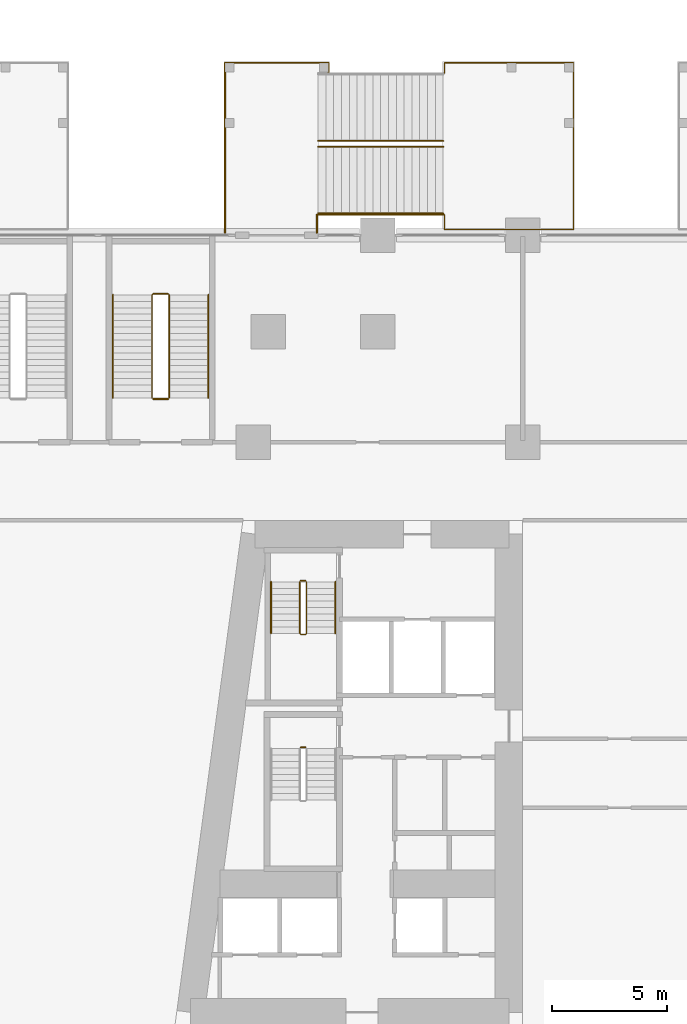
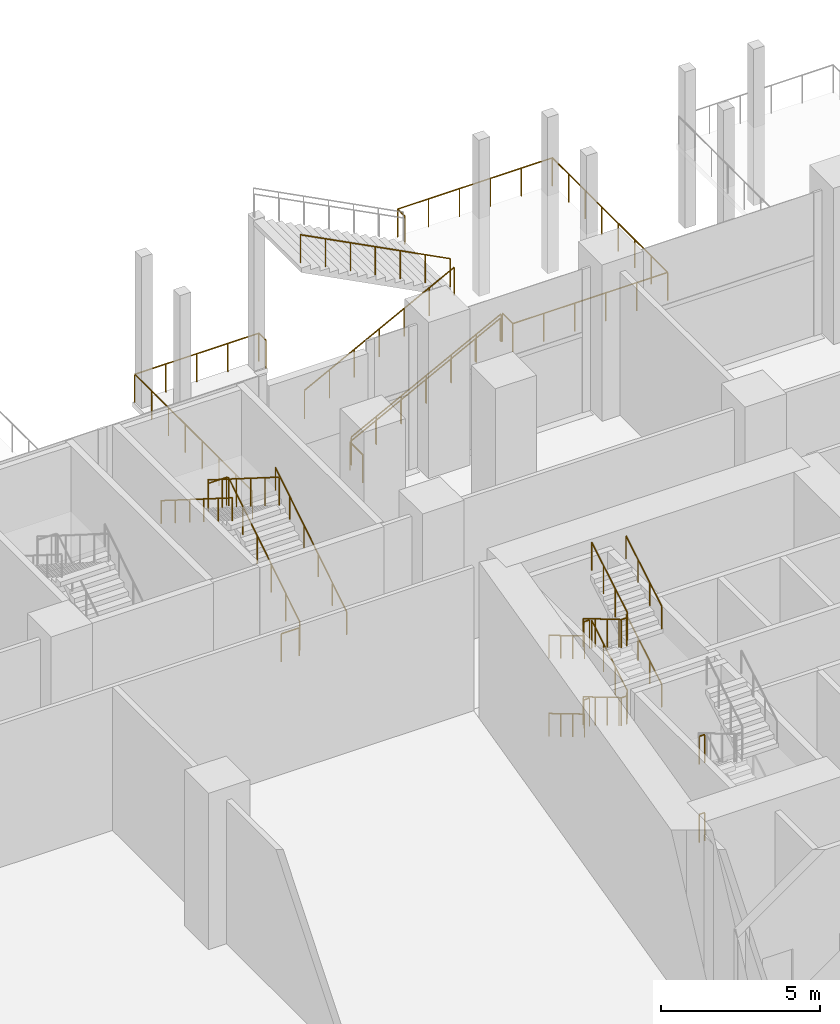
# One storey, part 42 of 49: 21 railings.
"""IFC4 building model written with IfcOpenShell, lengths in metres."""

from ifc_helpers import new_model, si_unit, direction, frame, origin, origin_2d, place, context, subcontext, project, spatial, circle, extrude, material, type_object, element, save


model = new_model("IFC4")

# Units and contexts
model_context = context("Model", 3, precision=1e-05, world=origin(), true_north=direction((0.0, 1.0)))
body_context = subcontext(model_context, "Body", "Model", "MODEL_VIEW")
ifc_project = project(units=[si_unit("LENGTHUNIT", "METRE"), si_unit("AREAUNIT", "SQUARE_METRE"), si_unit("VOLUMEUNIT", "CUBIC_METRE"), si_unit("PLANEANGLEUNIT", "RADIAN"), si_unit("MASSUNIT", "GRAM", prefix="KILO")], contexts=[model_context])

# Site, building, storey
site_placement = place(None, origin())
site = spatial("IfcSite", under=ifc_project, at=site_placement, CompositionType="ELEMENT")
building_placement = place(site_placement, origin())
building = spatial("IfcBuilding", under=site, at=building_placement, Name="Candeia Pilgrim Tower and Theatre", CompositionType="ELEMENT")
storey_placement = place(building_placement, frame((0.0, 0.0, 17.0)))
storey = spatial("IfcBuildingStorey", under=building, at=storey_placement, Name="L02", CompositionType="ELEMENT", Elevation=17.0)

# Railings
ifc_material_1 = material(Name="Stainless steel balustrade", Category="steel")
railing_type_1 = type_object("IfcRailingType", Name="RL-GUARD-1100", PredefinedType="GUARDRAIL", material=ifc_material_1)
for number, where, name in (
    (1, (91.152099609375, 122.52490234375, 3.0), "L02 ST1 stair guard 2"),
    (2, (91.152099609375, 122.52490234375, 0.0), "L02 ST1 stair guard 4"),
):
    element("IfcRailing", number, at=place(storey_placement, frame(where)), inside=storey, type_object=railing_type_1, Name=name, PredefinedType="GUARDRAIL", context=body_context, shape_type="SweptSolid", body=[
        extrude(circle(Radius=0.02392578125, at=origin_2d()), frame((0.0, 0.0, 1.076171875), z_axis=(1.0, 0.0, 0.0), x_axis=(0.0, 1.0, 0.0)), (0.0, 0.0, 1.0), 0.199951171875),
        extrude(circle(Radius=0.02099609375, at=origin_2d()), origin(), (0.0, 0.0, 1.0), 1.052001953125),
        extrude(circle(Radius=0.02099609375, at=origin_2d()), frame((0.199951171875, 0.0, 0.0)), (0.0, 0.0, 1.0), 1.052001953125),
    ])
railing_1_placement = place(storey_placement, frame((91.10205078125, 129.72509765625, 0.166748046875)))
element("IfcRailing", 3, at=railing_1_placement, inside=storey, type_object=railing_type_1, Name="L02 ST2 stair guard 1", PredefinedType="GUARDRAIL", context=body_context, shape_type="SweptSolid", body=[
    extrude(circle(Radius=0.02392578125, at=origin_2d()), frame((0.0, 0.0, 1.076171875), z_axis=(0.0, -0.859305625298, 0.511462454469), x_axis=(1.0, 0.0, 0.0)), (0.0, 0.0, 1.0), 2.606689453125),
    extrude(circle(Radius=0.02392578125, at=origin_2d()), frame((0.0, -2.239990234375, 2.4091796875), z_axis=(0.707106781187, -0.707106781187, 0.0), x_axis=(0.707106781187, 0.707106781187, 0.0)), (0.0, 0.0, 1.0), 0.07080078125),
    extrude(circle(Radius=0.02392578125, at=origin_2d()), frame((0.050048828125, -2.2900390625, 2.4091796875), z_axis=(1.0, 0.0, 0.0), x_axis=(0.0, 1.0, 0.0)), (0.0, 0.0, 1.0), 0.199951171875),
    extrude(circle(Radius=0.02392578125, at=origin_2d()), frame((0.25, -2.2900390625, 2.4091796875), z_axis=(0.27628659633, 0.27628659633, 0.920506074601), x_axis=(-0.707106781187, 0.707106781187, 0.0)), (0.0, 0.0, 1.0), 0.18115234375),
    extrude(circle(Radius=0.02392578125, at=origin_2d()), frame((0.300048828125, -2.239990234375, 2.576171875), z_axis=(0.0, 0.859305625298, 0.511462454469), x_axis=(-1.0, 0.0, 0.0)), (0.0, 0.0, 1.0), 2.606689453125),
    extrude(circle(Radius=0.02099609375, at=origin_2d()), origin(), (0.0, 0.0, 1.0), 1.052001953125),
    extrude(circle(Radius=0.02099609375, at=origin_2d()), frame((0.0, -0.74658203125, 0.4443359375)), (0.0, 0.0, 1.0), 1.052001953125),
    extrude(circle(Radius=0.02099609375, at=origin_2d()), frame((0.0, -1.493408203125, 0.888916015625)), (0.0, 0.0, 1.0), 1.052001953125),
    extrude(circle(Radius=0.02099609375, at=origin_2d()), frame((0.0, -2.239990234375, 1.333251953125)), (0.0, 0.0, 1.0), 1.052001953125),
    extrude(circle(Radius=0.02099609375, at=origin_2d()), frame((0.050048828125, -2.2900390625, 1.333251953125)), (0.0, 0.0, 1.0), 1.052001953125),
    extrude(circle(Radius=0.02099609375, at=origin_2d()), frame((0.25, -2.2900390625, 1.333251953125)), (0.0, 0.0, 1.0), 1.052001953125),
    extrude(circle(Radius=0.02099609375, at=origin_2d()), frame((0.300048828125, -2.239990234375, 1.5)), (0.0, 0.0, 1.0), 1.052001953125),
    extrude(circle(Radius=0.02099609375, at=origin_2d()), frame((0.300048828125, -1.493408203125, 1.9443359375)), (0.0, 0.0, 1.0), 1.052001953125),
    extrude(circle(Radius=0.02099609375, at=origin_2d()), frame((0.300048828125, -0.74658203125, 2.388916015625)), (0.0, 0.0, 1.0), 1.052001953125),
    extrude(circle(Radius=0.02099609375, at=origin_2d()), frame((0.300048828125, 0.0, 2.833251953125)), (0.0, 0.0, 1.0), 1.052001953125),
])
railing_2_placement = place(storey_placement, frame((91.152099609375, 129.77490234375, 3.0)))
element("IfcRailing", 4, at=railing_2_placement, inside=storey, type_object=railing_type_1, Name="L02 ST2 stair guard 2", PredefinedType="GUARDRAIL", context=body_context, shape_type="SweptSolid", body=[
    extrude(circle(Radius=0.02392578125, at=origin_2d()), frame((0.0, 0.0, 1.076171875), z_axis=(1.0, 0.0, 0.0), x_axis=(0.0, 1.0, 0.0)), (0.0, 0.0, 1.0), 0.199951171875),
    extrude(circle(Radius=0.02099609375, at=origin_2d()), origin(), (0.0, 0.0, 1.0), 1.052001953125),
    extrude(circle(Radius=0.02099609375, at=origin_2d()), frame((0.199951171875, 0.0, 0.0)), (0.0, 0.0, 1.0), 1.052001953125),
])
railing_3_placement = place(storey_placement, frame((91.10205078125, 129.72509765625, 3.166748046875)))
element("IfcRailing", 5, at=railing_3_placement, inside=storey, type_object=railing_type_1, Name="L02 ST2 stair guard 3", PredefinedType="GUARDRAIL", context=body_context, shape_type="SweptSolid", body=[
    extrude(circle(Radius=0.02392578125, at=origin_2d()), frame((0.0, 0.0, 1.076171875), z_axis=(0.0, -0.859305625298, 0.511462454469), x_axis=(1.0, 0.0, 0.0)), (0.0, 0.0, 1.0), 2.606689453125),
    extrude(circle(Radius=0.02392578125, at=origin_2d()), frame((0.0, -2.239990234375, 2.4091796875), z_axis=(0.707106781187, -0.707106781187, 0.0), x_axis=(0.707106781187, 0.707106781187, 0.0)), (0.0, 0.0, 1.0), 0.07080078125),
    extrude(circle(Radius=0.02392578125, at=origin_2d()), frame((0.050048828125, -2.2900390625, 2.4091796875), z_axis=(1.0, 0.0, 0.0), x_axis=(0.0, 1.0, 0.0)), (0.0, 0.0, 1.0), 0.199951171875),
    extrude(circle(Radius=0.02392578125, at=origin_2d()), frame((0.25, -2.2900390625, 2.4091796875), z_axis=(0.27628659633, 0.27628659633, 0.920506074601), x_axis=(-0.707106781187, 0.707106781187, 0.0)), (0.0, 0.0, 1.0), 0.18115234375),
    extrude(circle(Radius=0.02392578125, at=origin_2d()), frame((0.300048828125, -2.239990234375, 2.576171875), z_axis=(0.0, 0.859305625298, 0.511462454469), x_axis=(-1.0, 0.0, 0.0)), (0.0, 0.0, 1.0), 2.606689453125),
    extrude(circle(Radius=0.02099609375, at=origin_2d()), origin(), (0.0, 0.0, 1.0), 1.052001953125),
    extrude(circle(Radius=0.02099609375, at=origin_2d()), frame((0.0, -0.74658203125, 0.4443359375)), (0.0, 0.0, 1.0), 1.052001953125),
    extrude(circle(Radius=0.02099609375, at=origin_2d()), frame((0.0, -1.493408203125, 0.888916015625)), (0.0, 0.0, 1.0), 1.052001953125),
    extrude(circle(Radius=0.02099609375, at=origin_2d()), frame((0.0, -2.239990234375, 1.333251953125)), (0.0, 0.0, 1.0), 1.052001953125),
    extrude(circle(Radius=0.02099609375, at=origin_2d()), frame((0.050048828125, -2.2900390625, 1.333251953125)), (0.0, 0.0, 1.0), 1.052001953125),
    extrude(circle(Radius=0.02099609375, at=origin_2d()), frame((0.25, -2.2900390625, 1.333251953125)), (0.0, 0.0, 1.0), 1.052001953125),
    extrude(circle(Radius=0.02099609375, at=origin_2d()), frame((0.300048828125, -2.239990234375, 1.5)), (0.0, 0.0, 1.0), 1.052001953125),
    extrude(circle(Radius=0.02099609375, at=origin_2d()), frame((0.300048828125, -1.493408203125, 1.9443359375)), (0.0, 0.0, 1.0), 1.052001953125),
    extrude(circle(Radius=0.02099609375, at=origin_2d()), frame((0.300048828125, -0.74658203125, 2.388916015625)), (0.0, 0.0, 1.0), 1.052001953125),
    extrude(circle(Radius=0.02099609375, at=origin_2d()), frame((0.300048828125, 0.0, 2.833251953125)), (0.0, 0.0, 1.0), 1.052001953125),
])
railing_4_placement = place(storey_placement, frame((91.152099609375, 129.77490234375, 0.0)))
element("IfcRailing", 6, at=railing_4_placement, inside=storey, type_object=railing_type_1, Name="L02 ST2 stair guard 4", PredefinedType="GUARDRAIL", context=body_context, shape_type="SweptSolid", body=[
    extrude(circle(Radius=0.02392578125, at=origin_2d()), frame((0.0, 0.0, 1.076171875), z_axis=(1.0, 0.0, 0.0), x_axis=(0.0, 1.0, 0.0)), (0.0, 0.0, 1.0), 0.199951171875),
    extrude(circle(Radius=0.02099609375, at=origin_2d()), origin(), (0.0, 0.0, 1.0), 1.052001953125),
    extrude(circle(Radius=0.02099609375, at=origin_2d()), frame((0.199951171875, 0.0, 0.0)), (0.0, 0.0, 1.0), 1.052001953125),
])
railing_5_placement = place(storey_placement, frame((85.425048828125, 137.72509765625, 0.176513671875)))
element("IfcRailing", 7, at=railing_5_placement, inside=storey, type_object=railing_type_1, Name="L02 PS2 stair guard 1", PredefinedType="GUARDRAIL", context=body_context, shape_type="SweptSolid", body=[
    extrude(circle(Radius=0.02392578125, at=origin_2d()), frame((0.0, 0.0, 1.076171875), z_axis=(0.0, 0.845997938375, 0.533186166611), x_axis=(-1.0, 0.0, 0.0)), (0.0, 0.0, 1.0), 5.29541015625),
    extrude(circle(Radius=0.02392578125, at=origin_2d()), frame((0.0, 4.47998046875, 3.8994140625), z_axis=(-0.708833529934, 0.705375805398, 0.0), x_axis=(-0.705375805398, -0.708833529934, 0.0)), (0.0, 0.0, 1.0), 0.070556640625),
    extrude(circle(Radius=0.02392578125, at=origin_2d()), frame((-0.050048828125, 4.52978515625, 3.8994140625), z_axis=(-1.0, 0.0, 0.0), x_axis=(0.0, -1.0, 0.0)), (0.0, 0.0, 1.0), 0.64990234375),
    extrude(circle(Radius=0.02392578125, at=origin_2d()), frame((-0.699951171875, 4.52978515625, 3.8994140625), z_axis=(-0.263260079301, -0.261975883792, 0.928473352853), x_axis=(0.705375805398, -0.708833529934, 0.0)), (0.0, 0.0, 1.0), 0.190185546875),
    extrude(circle(Radius=0.02392578125, at=origin_2d()), frame((-0.75, 4.47998046875, 4.076171875), z_axis=(0.0, -0.845997938375, 0.533186166611), x_axis=(1.0, 0.0, 0.0)), (0.0, 0.0, 1.0), 5.29541015625),
    extrude(circle(Radius=0.02099609375, at=origin_2d()), origin(), (0.0, 0.0, 1.0), 1.052001953125),
    extrude(circle(Radius=0.02099609375, at=origin_2d()), frame((0.0, 0.89599609375, 0.564697265625)), (0.0, 0.0, 1.0), 1.052001953125),
    extrude(circle(Radius=0.02099609375, at=origin_2d()), frame((0.0, 1.7919921875, 1.12939453125)), (0.0, 0.0, 1.0), 1.052001953125),
    extrude(circle(Radius=0.02099609375, at=origin_2d()), frame((0.0, 2.68798828125, 1.694091796875)), (0.0, 0.0, 1.0), 1.052001953125),
    extrude(circle(Radius=0.02099609375, at=origin_2d()), frame((0.0, 3.583984375, 2.2587890625)), (0.0, 0.0, 1.0), 1.052001953125),
    extrude(circle(Radius=0.02099609375, at=origin_2d()), frame((0.0, 4.47998046875, 2.823486328125)), (0.0, 0.0, 1.0), 1.052001953125),
    extrude(circle(Radius=0.02099609375, at=origin_2d()), frame((-0.050048828125, 4.52978515625, 2.823486328125)), (0.0, 0.0, 1.0), 1.052001953125),
    extrude(circle(Radius=0.02099609375, at=origin_2d()), frame((-0.699951171875, 4.52978515625, 2.823486328125)), (0.0, 0.0, 1.0), 1.052001953125),
    extrude(circle(Radius=0.02099609375, at=origin_2d()), frame((-0.75, 4.47998046875, 3.0)), (0.0, 0.0, 1.0), 1.052001953125),
    extrude(circle(Radius=0.02099609375, at=origin_2d()), frame((-0.75, 3.583984375, 3.564697265625)), (0.0, 0.0, 1.0), 1.052001953125),
    extrude(circle(Radius=0.02099609375, at=origin_2d()), frame((-0.75, 2.68798828125, 4.12939453125)), (0.0, 0.0, 1.0), 1.052001953125),
    extrude(circle(Radius=0.02099609375, at=origin_2d()), frame((-0.75, 1.7919921875, 4.694091796875)), (0.0, 0.0, 1.0), 1.052001953125),
    extrude(circle(Radius=0.02099609375, at=origin_2d()), frame((-0.75, 0.89599609375, 5.2587890625)), (0.0, 0.0, 1.0), 1.052001953125),
    extrude(circle(Radius=0.02099609375, at=origin_2d()), frame((-0.75, 0.0, 5.823486328125)), (0.0, 0.0, 1.0), 1.052001953125),
])
railing_6_placement = place(storey_placement, frame((85.375, 137.675048828125, 0.0)))
element("IfcRailing", 8, at=railing_6_placement, inside=storey, type_object=railing_type_1, Name="L02 PS2 stair guard 2", PredefinedType="GUARDRAIL", context=body_context, shape_type="SweptSolid", body=[
    extrude(circle(Radius=0.02392578125, at=origin_2d()), frame((0.0, 0.0, 1.076171875), z_axis=(-1.0, 0.0, 0.0), x_axis=(0.0, -1.0, 0.0)), (0.0, 0.0, 1.0), 0.64990234375),
    extrude(circle(Radius=0.02099609375, at=origin_2d()), origin(), (0.0, 0.0, 1.0), 1.052001953125),
    extrude(circle(Radius=0.02099609375, at=origin_2d()), frame((-0.64990234375, 0.0, 0.0)), (0.0, 0.0, 1.0), 1.052001953125),
])
railing_7_placement = place(storey_placement, frame((91.89990234375, 148.64990234375, 0.176513671875)))
element("IfcRailing", 9, at=railing_7_placement, inside=storey, type_object=railing_type_1, Name="L02 ES5 stair guard 1", PredefinedType="GUARDRAIL", context=body_context, shape_type="SweptSolid", body=[
    extrude(circle(Radius=0.02392578125, at=origin_2d()), frame((0.0, 0.0, 1.076171875), z_axis=(0.887577827043, 0.0, 0.460657791579), x_axis=(0.0, 1.0, 0.0)), (0.0, 0.0, 1.0), 6.129150390625),
    extrude(circle(Radius=0.02099609375, at=origin_2d()), origin(), (0.0, 0.0, 1.0), 1.052001953125),
    extrude(circle(Radius=0.02099609375, at=origin_2d()), frame((0.90673828125, 0.0, 0.470703125)), (0.0, 0.0, 1.0), 1.052001953125),
    extrude(circle(Radius=0.02099609375, at=origin_2d()), frame((1.8134765625, 0.0, 0.941162109375)), (0.0, 0.0, 1.0), 1.052001953125),
    extrude(circle(Radius=0.02099609375, at=origin_2d()), frame((2.72021484375, 0.0, 1.41162109375)), (0.0, 0.0, 1.0), 1.052001953125),
    extrude(circle(Radius=0.02099609375, at=origin_2d()), frame((3.626708984375, 0.0, 1.88232421875)), (0.0, 0.0, 1.0), 1.052001953125),
    extrude(circle(Radius=0.02099609375, at=origin_2d()), frame((4.533447265625, 0.0, 2.35302734375)), (0.0, 0.0, 1.0), 1.052001953125),
    extrude(circle(Radius=0.02099609375, at=origin_2d()), frame((5.440185546875, 0.0, 2.823486328125)), (0.0, 0.0, 1.0), 1.052001953125),
])
railing_8_placement = place(storey_placement, frame((97.340087890625, 148.89990234375, 3.176513671875)))
element("IfcRailing", 10, at=railing_8_placement, inside=storey, type_object=railing_type_1, Name="L02 ES5 stair guard 2", PredefinedType="GUARDRAIL", context=body_context, shape_type="SweptSolid", body=[
    extrude(circle(Radius=0.02392578125, at=origin_2d()), frame((0.0, 0.0, 1.076171875), z_axis=(-0.887577827043, 0.0, 0.460657791579), x_axis=(0.0, -1.0, 0.0)), (0.0, 0.0, 1.0), 6.129150390625),
    extrude(circle(Radius=0.02099609375, at=origin_2d()), origin(), (0.0, 0.0, 1.0), 1.052001953125),
    extrude(circle(Radius=0.02099609375, at=origin_2d()), frame((-0.90673828125, 0.0, 0.470703125)), (0.0, 0.0, 1.0), 1.052001953125),
    extrude(circle(Radius=0.02099609375, at=origin_2d()), frame((-1.8134765625, 0.0, 0.941162109375)), (0.0, 0.0, 1.0), 1.052001953125),
    extrude(circle(Radius=0.02099609375, at=origin_2d()), frame((-2.72021484375, 0.0, 1.41162109375)), (0.0, 0.0, 1.0), 1.052001953125),
    extrude(circle(Radius=0.02099609375, at=origin_2d()), frame((-3.626708984375, 0.0, 1.88232421875)), (0.0, 0.0, 1.0), 1.052001953125),
    extrude(circle(Radius=0.02099609375, at=origin_2d()), frame((-4.533447265625, 0.0, 2.35302734375)), (0.0, 0.0, 1.0), 1.052001953125),
    extrude(circle(Radius=0.02099609375, at=origin_2d()), frame((-5.440185546875, 0.0, 2.823486328125)), (0.0, 0.0, 1.0), 1.052001953125),
])
railing_9_placement = place(storey_placement, frame((91.89990234375, 145.699951171875, 0.176513671875)))
element("IfcRailing", 11, at=railing_9_placement, inside=storey, type_object=railing_type_1, Name="L02 ES5 stair guard 3", PredefinedType="GUARDRAIL", context=body_context, shape_type="SweptSolid", body=[
    extrude(circle(Radius=0.02392578125, at=origin_2d()), frame((0.0, 0.0, 1.076171875), z_axis=(0.887577827043, 0.0, 0.460657791579), x_axis=(0.0, 1.0, 0.0)), (0.0, 0.0, 1.0), 6.129150390625),
    extrude(circle(Radius=0.02099609375, at=origin_2d()), origin(), (0.0, 0.0, 1.0), 1.052001953125),
    extrude(circle(Radius=0.02099609375, at=origin_2d()), frame((0.90673828125, 0.0, 0.470703125)), (0.0, 0.0, 1.0), 1.052001953125),
    extrude(circle(Radius=0.02099609375, at=origin_2d()), frame((1.8134765625, 0.0, 0.941162109375)), (0.0, 0.0, 1.0), 1.052001953125),
    extrude(circle(Radius=0.02099609375, at=origin_2d()), frame((2.72021484375, 0.0, 1.41162109375)), (0.0, 0.0, 1.0), 1.052001953125),
    extrude(circle(Radius=0.02099609375, at=origin_2d()), frame((3.626708984375, 0.0, 1.88232421875)), (0.0, 0.0, 1.0), 1.052001953125),
    extrude(circle(Radius=0.02099609375, at=origin_2d()), frame((4.533447265625, 0.0, 2.35302734375)), (0.0, 0.0, 1.0), 1.052001953125),
    extrude(circle(Radius=0.02099609375, at=origin_2d()), frame((5.440185546875, 0.0, 2.823486328125)), (0.0, 0.0, 1.0), 1.052001953125),
])
railing_10_placement = place(storey_placement, frame((97.389892578125, 145.699951171875, 3.0)))
element("IfcRailing", 12, at=railing_10_placement, inside=storey, type_object=railing_type_1, Name="L02 ES5 stair guard 5", PredefinedType="GUARDRAIL", context=body_context, shape_type="SweptSolid", body=[
    extrude(circle(Radius=0.02392578125, at=origin_2d()), frame((0.0, 0.0, 1.076171875), z_axis=(0.0, -1.0, 0.0), x_axis=(1.0, 0.0, 0.0)), (0.0, 0.0, 1.0), 0.64990234375),
    extrude(circle(Radius=0.02392578125, at=origin_2d()), frame((0.0, -0.64990234375, 1.076171875), z_axis=(1.0, 0.0, 0.0), x_axis=(0.0, 1.0, 0.0)), (0.0, 0.0, 1.0), 5.6201171875),
    extrude(circle(Radius=0.02392578125, at=origin_2d()), frame((5.6201171875, -0.64990234375, 1.076171875), z_axis=(0.0, 1.0, 0.0), x_axis=(-1.0, 0.0, 0.0)), (0.0, 0.0, 1.0), 7.25),
    extrude(circle(Radius=0.02392578125, at=origin_2d()), frame((5.6201171875, 6.60009765625, 1.076171875), z_axis=(-1.0, 0.0, 0.0), x_axis=(0.0, -1.0, 0.0)), (0.0, 0.0, 1.0), 5.6201171875),
    extrude(circle(Radius=0.02392578125, at=origin_2d()), frame((0.0, 6.60009765625, 1.076171875), z_axis=(0.0, -1.0, 0.0), x_axis=(1.0, 0.0, 0.0)), (0.0, 0.0, 1.0), 0.449951171875),
    extrude(circle(Radius=0.02099609375, at=origin_2d()), origin(), (0.0, 0.0, 1.0), 1.052001953125),
    extrude(circle(Radius=0.02099609375, at=origin_2d()), frame((0.0, -0.64990234375, 0.0)), (0.0, 0.0, 1.0), 1.052001953125),
    extrude(circle(Radius=0.02099609375, at=origin_2d()), frame((1.1240234375, -0.64990234375, 0.0)), (0.0, 0.0, 1.0), 1.052001953125),
    extrude(circle(Radius=0.02099609375, at=origin_2d()), frame((2.248046875, -0.64990234375, 0.0)), (0.0, 0.0, 1.0), 1.052001953125),
    extrude(circle(Radius=0.02099609375, at=origin_2d()), frame((3.3720703125, -0.64990234375, 0.0)), (0.0, 0.0, 1.0), 1.052001953125),
    extrude(circle(Radius=0.02099609375, at=origin_2d()), frame((4.49609375, -0.64990234375, 0.0)), (0.0, 0.0, 1.0), 1.052001953125),
    extrude(circle(Radius=0.02099609375, at=origin_2d()), frame((5.6201171875, -0.64990234375, 0.0)), (0.0, 0.0, 1.0), 1.052001953125),
    extrude(circle(Radius=0.02099609375, at=origin_2d()), frame((5.6201171875, 0.3857421875, 0.0)), (0.0, 0.0, 1.0), 1.052001953125),
    extrude(circle(Radius=0.02099609375, at=origin_2d()), frame((5.6201171875, 1.421630859375, 0.0)), (0.0, 0.0, 1.0), 1.052001953125),
    extrude(circle(Radius=0.02099609375, at=origin_2d()), frame((5.6201171875, 2.457275390625, 0.0)), (0.0, 0.0, 1.0), 1.052001953125),
    extrude(circle(Radius=0.02099609375, at=origin_2d()), frame((5.6201171875, 3.492919921875, 0.0)), (0.0, 0.0, 1.0), 1.052001953125),
    extrude(circle(Radius=0.02099609375, at=origin_2d()), frame((5.6201171875, 4.528564453125, 0.0)), (0.0, 0.0, 1.0), 1.052001953125),
    extrude(circle(Radius=0.02099609375, at=origin_2d()), frame((5.6201171875, 5.564453125, 0.0)), (0.0, 0.0, 1.0), 1.052001953125),
    extrude(circle(Radius=0.02099609375, at=origin_2d()), frame((5.6201171875, 6.60009765625, 0.0)), (0.0, 0.0, 1.0), 1.052001953125),
    extrude(circle(Radius=0.02099609375, at=origin_2d()), frame((4.49609375, 6.60009765625, 0.0)), (0.0, 0.0, 1.0), 1.052001953125),
    extrude(circle(Radius=0.02099609375, at=origin_2d()), frame((3.3720703125, 6.60009765625, 0.0)), (0.0, 0.0, 1.0), 1.052001953125),
    extrude(circle(Radius=0.02099609375, at=origin_2d()), frame((2.248046875, 6.60009765625, 0.0)), (0.0, 0.0, 1.0), 1.052001953125),
    extrude(circle(Radius=0.02099609375, at=origin_2d()), frame((1.1240234375, 6.60009765625, 0.0)), (0.0, 0.0, 1.0), 1.052001953125),
    extrude(circle(Radius=0.02099609375, at=origin_2d()), frame((0.0, 6.60009765625, 0.0)), (0.0, 0.0, 1.0), 1.052001953125),
    extrude(circle(Radius=0.02099609375, at=origin_2d()), frame((0.0, 6.150146484375, 0.0)), (0.0, 0.0, 1.0), 1.052001953125),
])
railing_11_placement = place(storey_placement, frame((87.85009765625, 144.89990234375, 0.0)))
element("IfcRailing", 13, at=railing_11_placement, inside=storey, type_object=railing_type_1, Name="L02 External escape stair ES5 landing guard", PredefinedType="GUARDRAIL", context=body_context, shape_type="SweptSolid", body=[
    extrude(circle(Radius=0.02392578125, at=origin_2d()), frame((0.0, 0.0, 1.076171875), z_axis=(0.0, 1.0, 0.0), x_axis=(-1.0, 0.0, 0.0)), (0.0, 0.0, 1.0), 7.400146484375),
    extrude(circle(Radius=0.02392578125, at=origin_2d()), frame((0.0, 7.400146484375, 1.076171875), z_axis=(1.0, 0.0, 0.0), x_axis=(0.0, 1.0, 0.0)), (0.0, 0.0, 1.0), 4.5),
    extrude(circle(Radius=0.02392578125, at=origin_2d()), frame((4.5, 7.400146484375, 1.076171875), z_axis=(0.0, -1.0, 0.0), x_axis=(1.0, 0.0, 0.0)), (0.0, 0.0, 1.0), 0.449951171875),
    extrude(circle(Radius=0.02099609375, at=origin_2d()), origin(), (0.0, 0.0, 1.0), 1.052001953125),
    extrude(circle(Radius=0.02099609375, at=origin_2d()), frame((0.0, 1.05712890625, 0.0)), (0.0, 0.0, 1.0), 1.052001953125),
    extrude(circle(Radius=0.02099609375, at=origin_2d()), frame((0.0, 2.1142578125, 0.0)), (0.0, 0.0, 1.0), 1.052001953125),
    extrude(circle(Radius=0.02099609375, at=origin_2d()), frame((0.0, 3.17138671875, 0.0)), (0.0, 0.0, 1.0), 1.052001953125),
    extrude(circle(Radius=0.02099609375, at=origin_2d()), frame((0.0, 4.228759765625, 0.0)), (0.0, 0.0, 1.0), 1.052001953125),
    extrude(circle(Radius=0.02099609375, at=origin_2d()), frame((0.0, 5.285888671875, 0.0)), (0.0, 0.0, 1.0), 1.052001953125),
    extrude(circle(Radius=0.02099609375, at=origin_2d()), frame((0.0, 6.343017578125, 0.0)), (0.0, 0.0, 1.0), 1.052001953125),
    extrude(circle(Radius=0.02099609375, at=origin_2d()), frame((0.0, 7.400146484375, 0.0)), (0.0, 0.0, 1.0), 1.052001953125),
    extrude(circle(Radius=0.02099609375, at=origin_2d()), frame((1.125, 7.400146484375, 0.0)), (0.0, 0.0, 1.0), 1.052001953125),
    extrude(circle(Radius=0.02099609375, at=origin_2d()), frame((2.25, 7.400146484375, 0.0)), (0.0, 0.0, 1.0), 1.052001953125),
    extrude(circle(Radius=0.02099609375, at=origin_2d()), frame((3.375, 7.400146484375, 0.0)), (0.0, 0.0, 1.0), 1.052001953125),
    extrude(circle(Radius=0.02099609375, at=origin_2d()), frame((4.5, 7.400146484375, 0.0)), (0.0, 0.0, 1.0), 1.052001953125),
    extrude(circle(Radius=0.02099609375, at=origin_2d()), frame((4.5, 6.9501953125, 0.0)), (0.0, 0.0, 1.0), 1.052001953125),
])
railing_12_placement = place(storey_placement, frame((91.85009765625, 144.89990234375, 0.0)))
element("IfcRailing", 14, at=railing_12_placement, inside=storey, type_object=railing_type_1, Name="L02 External escape stair ES5 bridge guard", PredefinedType="GUARDRAIL", context=body_context, shape_type="SweptSolid", body=[
    extrude(circle(Radius=0.02392578125, at=origin_2d()), frame((0.0, 0.0, 1.076171875), z_axis=(0.0, 1.0, 0.0), x_axis=(-1.0, 0.0, 0.0)), (0.0, 0.0, 1.0), 0.800048828125),
    extrude(circle(Radius=0.02099609375, at=origin_2d()), origin(), (0.0, 0.0, 1.0), 1.052001953125),
    extrude(circle(Radius=0.02099609375, at=origin_2d()), frame((0.0, 0.800048828125, 0.0)), (0.0, 0.0, 1.0), 1.052001953125),
])
ifc_material_2 = material(Name="Stainless steel handrail", Category="steel")
railing_type_2 = type_object("IfcRailingType", Name="RL-HANDRAIL-900", PredefinedType="HANDRAIL", material=ifc_material_2)
railing_13_placement = place(storey_placement, frame((89.85205078125, 129.72509765625, 0.166748046875)))
element("IfcRailing", 15, at=railing_13_placement, inside=storey, type_object=railing_type_2, Name="L02 ST2 stair handrail 1", PredefinedType="HANDRAIL", context=body_context, shape_type="SweptSolid", body=[
    extrude(circle(Radius=0.02392578125, at=origin_2d()), frame((0.0, 0.0, 0.8759765625), z_axis=(0.0, -0.859305625298, 0.511462454469), x_axis=(1.0, 0.0, 0.0)), (0.0, 0.0, 1.0), 2.606689453125),
    extrude(circle(Radius=0.02099609375, at=origin_2d()), origin(), (0.0, 0.0, 1.0), 0.851806640625),
    extrude(circle(Radius=0.02099609375, at=origin_2d()), frame((0.0, -0.74658203125, 0.4443359375)), (0.0, 0.0, 1.0), 0.851806640625),
    extrude(circle(Radius=0.02099609375, at=origin_2d()), frame((0.0, -1.493408203125, 0.888916015625)), (0.0, 0.0, 1.0), 0.851806640625),
    extrude(circle(Radius=0.02099609375, at=origin_2d()), frame((0.0, -2.239990234375, 1.333251953125)), (0.0, 0.0, 1.0), 0.851806640625),
])
railing_14_placement = place(storey_placement, frame((92.652099609375, 127.485107421875, 1.666748046875)))
element("IfcRailing", 16, at=railing_14_placement, inside=storey, type_object=railing_type_2, Name="L02 ST2 stair handrail 2", PredefinedType="HANDRAIL", context=body_context, shape_type="SweptSolid", body=[
    extrude(circle(Radius=0.02392578125, at=origin_2d()), frame((0.0, 0.0, 0.8759765625), z_axis=(0.0, 0.859305625298, 0.511462454469), x_axis=(-1.0, 0.0, 0.0)), (0.0, 0.0, 1.0), 2.606689453125),
    extrude(circle(Radius=0.02099609375, at=origin_2d()), origin(), (0.0, 0.0, 1.0), 0.851806640625),
    extrude(circle(Radius=0.02099609375, at=origin_2d()), frame((0.0, 0.74658203125, 0.4443359375)), (0.0, 0.0, 1.0), 0.851806640625),
    extrude(circle(Radius=0.02099609375, at=origin_2d()), frame((0.0, 1.493408203125, 0.888916015625)), (0.0, 0.0, 1.0), 0.851806640625),
    extrude(circle(Radius=0.02099609375, at=origin_2d()), frame((0.0, 2.239990234375, 1.333251953125)), (0.0, 0.0, 1.0), 0.851806640625),
])
railing_15_placement = place(storey_placement, frame((89.85205078125, 129.72509765625, 3.166748046875)))
element("IfcRailing", 17, at=railing_15_placement, inside=storey, type_object=railing_type_2, Name="L02 ST2 stair handrail 3", PredefinedType="HANDRAIL", context=body_context, shape_type="SweptSolid", body=[
    extrude(circle(Radius=0.02392578125, at=origin_2d()), frame((0.0, 0.0, 0.8759765625), z_axis=(0.0, -0.859305625298, 0.511462454469), x_axis=(1.0, 0.0, 0.0)), (0.0, 0.0, 1.0), 2.606689453125),
    extrude(circle(Radius=0.02099609375, at=origin_2d()), origin(), (0.0, 0.0, 1.0), 0.851806640625),
    extrude(circle(Radius=0.02099609375, at=origin_2d()), frame((0.0, -0.74658203125, 0.4443359375)), (0.0, 0.0, 1.0), 0.851806640625),
    extrude(circle(Radius=0.02099609375, at=origin_2d()), frame((0.0, -1.493408203125, 0.888916015625)), (0.0, 0.0, 1.0), 0.851806640625),
    extrude(circle(Radius=0.02099609375, at=origin_2d()), frame((0.0, -2.239990234375, 1.333251953125)), (0.0, 0.0, 1.0), 0.851806640625),
])
railing_16_placement = place(storey_placement, frame((92.652099609375, 127.485107421875, 4.666748046875)))
element("IfcRailing", 18, at=railing_16_placement, inside=storey, type_object=railing_type_2, Name="L02 ST2 stair handrail 4", PredefinedType="HANDRAIL", context=body_context, shape_type="SweptSolid", body=[
    extrude(circle(Radius=0.02392578125, at=origin_2d()), frame((0.0, 0.0, 0.8759765625), z_axis=(0.0, 0.859305625298, 0.511462454469), x_axis=(-1.0, 0.0, 0.0)), (0.0, 0.0, 1.0), 2.606689453125),
    extrude(circle(Radius=0.02099609375, at=origin_2d()), origin(), (0.0, 0.0, 1.0), 0.851806640625),
    extrude(circle(Radius=0.02099609375, at=origin_2d()), frame((0.0, 0.74658203125, 0.4443359375)), (0.0, 0.0, 1.0), 0.851806640625),
    extrude(circle(Radius=0.02099609375, at=origin_2d()), frame((0.0, 1.493408203125, 0.888916015625)), (0.0, 0.0, 1.0), 0.851806640625),
    extrude(circle(Radius=0.02099609375, at=origin_2d()), frame((0.0, 2.239990234375, 1.333251953125)), (0.0, 0.0, 1.0), 0.851806640625),
])
railing_17_placement = place(storey_placement, frame((87.125, 137.72509765625, 0.176513671875)))
element("IfcRailing", 19, at=railing_17_placement, inside=storey, type_object=railing_type_2, Name="L02 PS2 stair handrail 1", PredefinedType="HANDRAIL", context=body_context, shape_type="SweptSolid", body=[
    extrude(circle(Radius=0.02392578125, at=origin_2d()), frame((0.0, 0.0, 0.8759765625), z_axis=(0.0, 0.845997938375, 0.533186166611), x_axis=(-1.0, 0.0, 0.0)), (0.0, 0.0, 1.0), 5.29541015625),
    extrude(circle(Radius=0.02099609375, at=origin_2d()), origin(), (0.0, 0.0, 1.0), 0.851806640625),
    extrude(circle(Radius=0.02099609375, at=origin_2d()), frame((0.0, 0.89599609375, 0.564697265625)), (0.0, 0.0, 1.0), 0.851806640625),
    extrude(circle(Radius=0.02099609375, at=origin_2d()), frame((0.0, 1.7919921875, 1.12939453125)), (0.0, 0.0, 1.0), 0.851806640625),
    extrude(circle(Radius=0.02099609375, at=origin_2d()), frame((0.0, 2.68798828125, 1.694091796875)), (0.0, 0.0, 1.0), 0.851806640625),
    extrude(circle(Radius=0.02099609375, at=origin_2d()), frame((0.0, 3.583984375, 2.2587890625)), (0.0, 0.0, 1.0), 0.851806640625),
    extrude(circle(Radius=0.02099609375, at=origin_2d()), frame((0.0, 4.47998046875, 2.823486328125)), (0.0, 0.0, 1.0), 0.851806640625),
])
railing_18_placement = place(storey_placement, frame((82.97509765625, 142.205078125, 3.176513671875)))
element("IfcRailing", 20, at=railing_18_placement, inside=storey, type_object=railing_type_2, Name="L02 PS2 stair handrail 2", PredefinedType="HANDRAIL", context=body_context, shape_type="SweptSolid", body=[
    extrude(circle(Radius=0.02392578125, at=origin_2d()), frame((0.0, 0.0, 0.8759765625), z_axis=(0.0, -0.845997938375, 0.533186166611), x_axis=(1.0, 0.0, 0.0)), (0.0, 0.0, 1.0), 5.29541015625),
    extrude(circle(Radius=0.02099609375, at=origin_2d()), origin(), (0.0, 0.0, 1.0), 0.851806640625),
    extrude(circle(Radius=0.02099609375, at=origin_2d()), frame((0.0, -0.89599609375, 0.564697265625)), (0.0, 0.0, 1.0), 0.851806640625),
    extrude(circle(Radius=0.02099609375, at=origin_2d()), frame((0.0, -1.7919921875, 1.12939453125)), (0.0, 0.0, 1.0), 0.851806640625),
    extrude(circle(Radius=0.02099609375, at=origin_2d()), frame((0.0, -2.68798828125, 1.694091796875)), (0.0, 0.0, 1.0), 0.851806640625),
    extrude(circle(Radius=0.02099609375, at=origin_2d()), frame((0.0, -3.583984375, 2.2587890625)), (0.0, 0.0, 1.0), 0.851806640625),
    extrude(circle(Radius=0.02099609375, at=origin_2d()), frame((0.0, -4.47998046875, 2.823486328125)), (0.0, 0.0, 1.0), 0.851806640625),
])
railing_19_placement = place(storey_placement, frame((91.89990234375, 145.75, 0.176513671875)))
element("IfcRailing", 21, at=railing_19_placement, inside=storey, type_object=railing_type_2, Name="L02 ES5 stair handrail 1", PredefinedType="HANDRAIL", context=body_context, shape_type="SweptSolid", body=[
    extrude(circle(Radius=0.02392578125, at=origin_2d()), frame((0.0, 0.0, 0.8759765625), z_axis=(0.887577827043, 0.0, 0.460657791579), x_axis=(0.0, 1.0, 0.0)), (0.0, 0.0, 1.0), 6.129150390625),
    extrude(circle(Radius=0.02099609375, at=origin_2d()), origin(), (0.0, 0.0, 1.0), 0.851806640625),
    extrude(circle(Radius=0.02099609375, at=origin_2d()), frame((0.90673828125, 0.0, 0.470703125)), (0.0, 0.0, 1.0), 0.851806640625),
    extrude(circle(Radius=0.02099609375, at=origin_2d()), frame((1.8134765625, 0.0, 0.941162109375)), (0.0, 0.0, 1.0), 0.851806640625),
    extrude(circle(Radius=0.02099609375, at=origin_2d()), frame((2.72021484375, 0.0, 1.41162109375)), (0.0, 0.0, 1.0), 0.851806640625),
    extrude(circle(Radius=0.02099609375, at=origin_2d()), frame((3.626708984375, 0.0, 1.88232421875)), (0.0, 0.0, 1.0), 0.851806640625),
    extrude(circle(Radius=0.02099609375, at=origin_2d()), frame((4.533447265625, 0.0, 2.35302734375)), (0.0, 0.0, 1.0), 0.851806640625),
    extrude(circle(Radius=0.02099609375, at=origin_2d()), frame((5.440185546875, 0.0, 2.823486328125)), (0.0, 0.0, 1.0), 0.851806640625),
])

save(model, "model.ifc")
